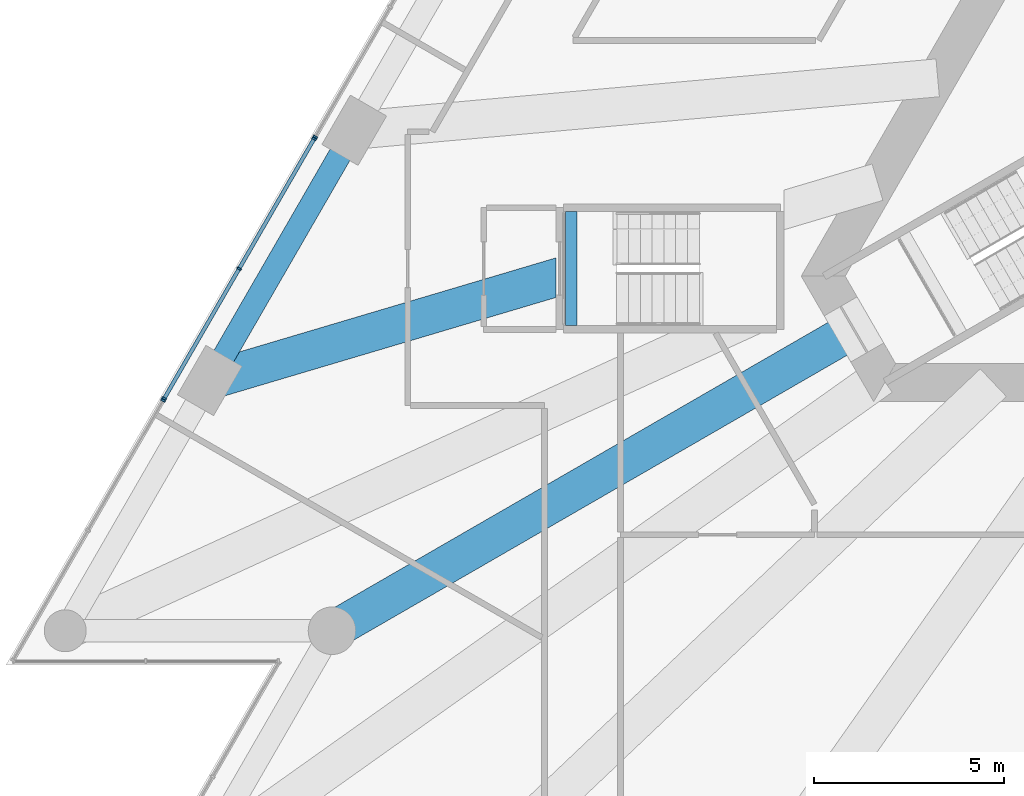
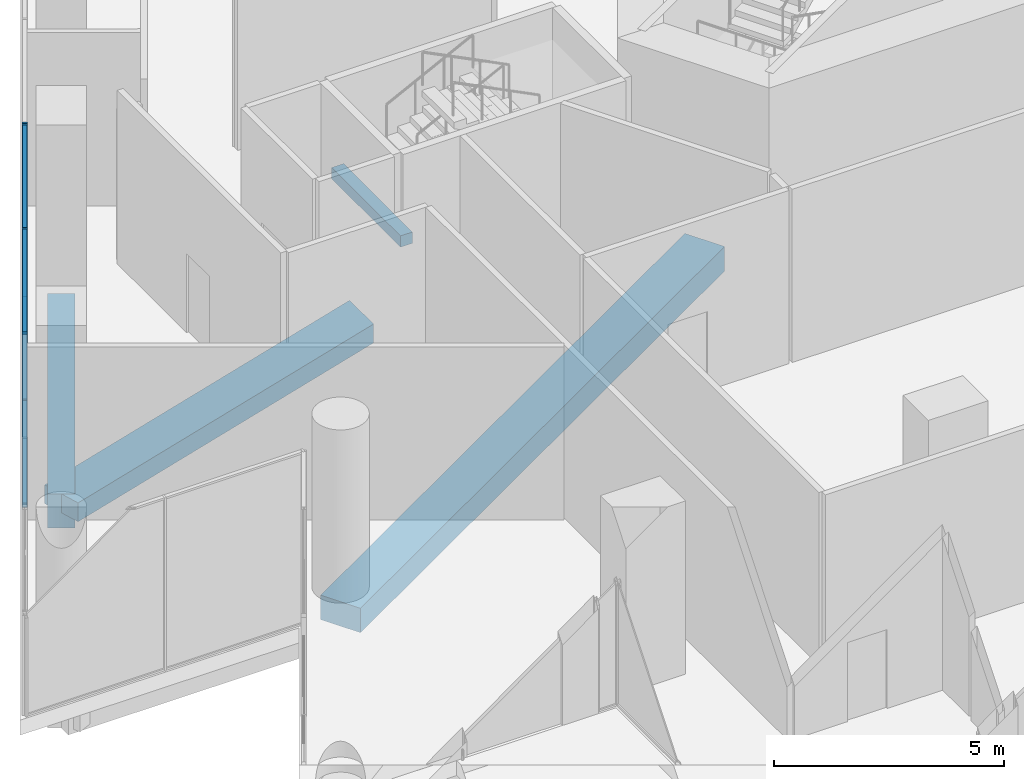
# One storey, part 5 of 32: 9 members, 4 beams, 3 elements without a shape of their own.
"""IFC4 building model written with IfcOpenShell, lengths in metres."""

from ifc_helpers import new_model, si_unit, direction, frame, origin, origin_2d, place, context, subcontext, project, spatial, rectangle, extrude, clip, halfspace, material, layer, layer_set, material_profile, profile_set, type_object, element, aggregate, save


model = new_model("IFC4")

# Units and contexts
model_context = context("Model", 3, precision=1e-05, world=origin(), true_north=direction((0.0, 1.0)))
body_context = subcontext(model_context, "Body", "Model", "MODEL_VIEW")
ifc_project = project(units=[si_unit("LENGTHUNIT", "METRE"), si_unit("AREAUNIT", "SQUARE_METRE"), si_unit("VOLUMEUNIT", "CUBIC_METRE"), si_unit("PLANEANGLEUNIT", "RADIAN"), si_unit("MASSUNIT", "GRAM", prefix="KILO")], contexts=[model_context])

# Site, building, storey
site_placement = place(None, origin())
site = spatial("IfcSite", under=ifc_project, at=site_placement, CompositionType="ELEMENT")
building_placement = place(site_placement, origin())
building = spatial("IfcBuilding", under=site, at=building_placement, Name="Triada Interchange Tower", CompositionType="ELEMENT")
storey_placement = place(building_placement, frame((0.0, 0.0, 25.300048828125)))
storey = spatial("IfcBuildingStorey", under=building, at=storey_placement, Name="L04", CompositionType="ELEMENT", Elevation=25.300048828125)

# Beam
ifc_material_1 = material(Name="Concrete C35/45", Category="concrete")
ifc_material_profile_1 = material_profile(ifc_material_1, rectangle(XDim=0.300048828125, YDim=0.300048828125, at=origin_2d()), Name="RC 300x300")
ifc_profile_set_1 = profile_set([ifc_material_profile_1], Name="Concrete C35/45")
beam_type_1 = type_object("IfcBeamType", Name="Landing support beam RC 300x300", PredefinedType="BEAM", material=ifc_profile_set_1)
beam_1_placement = place(storey_placement, frame((-20.60009765625, -4.5, 2.14990234375), z_axis=(0.0, -1.0, 0.0), x_axis=(1.0, 0.0, 0.0)))
element("IfcBeam", 1, at=beam_1_placement, inside=storey, type_object=beam_type_1, Name="Landing support beam S04-6 1", PredefinedType="BEAM", context=body_context, shape_type="SweptSolid", body=[
    extrude(rectangle(XDim=0.300048828125, YDim=0.300048828125, at=origin_2d()), origin(), (0.0, 0.0, 1.0), 3.0),
])

# Curtain wall, member
ifc_material_2 = material(Name="Aluminium framed glazing", Category="aluminium")
ifc_layer = layer(ifc_material_2, 0.199951171875)
ifc_layer_set = layer_set([ifc_layer], Name="Curtain wall Winter garden glazing")
curtain_wall_type = type_object("IfcCurtainWallType", Name="Curtain wall Winter garden glazing", PredefinedType="NOTDEFINED", material=ifc_layer_set)
curtain_wall_1_placement = place(storey_placement, origin())
curtain_wall_1 = element("IfcCurtainWall", 2, at=curtain_wall_1_placement, inside=storey, type_object=curtain_wall_type, Name="Winter garden glazing CW027 L04", PredefinedType="NOTDEFINED")
ifc_material_3 = material(Name="Aluminium", Category="aluminium")
ifc_material_profile_2 = material_profile(ifc_material_3, rectangle(XDim=0.1201171875, YDim=0.050048828125, at=origin_2d()), Name="Aluminium mullion")
ifc_profile_set_2 = profile_set([ifc_material_profile_2], Name="Aluminium")
member_type_1 = type_object("IfcMemberType", Name="Mullion Winter garden glazing 120x50", PredefinedType="MULLION", material=ifc_profile_set_2)
member_1_placement = place(storey_placement, frame((-27.32958984375, -2.536376953125, 0.0), z_axis=(0.0, 0.0, 1.0), x_axis=(0.866055473648, -0.499947913852, 0.0)))
member_1 = element("IfcMember", 3, at=member_1_placement, type_object=member_type_1, Name="CW027 mullion 3", PredefinedType="MULLION", context=body_context, shape_type="SweptSolid", body=[
    extrude(rectangle(XDim=0.1201171875, YDim=0.050048828125, at=origin_2d()), origin(), (0.0, 0.0, 1.0), 4.599853515625),
])
aggregate(curtain_wall_1, [member_1])

# Curtain wall, members
curtain_wall_2_placement = place(storey_placement, origin())
curtain_wall_2 = element("IfcCurtainWall", 4, at=curtain_wall_2_placement, inside=storey, type_object=curtain_wall_type, Name="Winter garden glazing CW028 L04", PredefinedType="NOTDEFINED")
member_2_placement = place(storey_placement, frame((-27.360595703125, -2.588623046875, 0.0), z_axis=(0.0, 0.0, 1.0), x_axis=(0.866055473648, -0.499947913852, 0.0)))
member_2 = element("IfcMember", 5, at=member_2_placement, type_object=member_type_1, Name="CW028 mullion 1", PredefinedType="MULLION", context=body_context, shape_type="SweptSolid", body=[
    extrude(rectangle(XDim=0.1201171875, YDim=0.050048828125, at=origin_2d()), origin(), (0.0, 0.0, 1.0), 4.599853515625),
])
member_3_placement = place(storey_placement, frame((-29.33154296875, -6.0029296875, 0.0), z_axis=(0.0, 0.0, 1.0), x_axis=(0.866055473648, -0.499947913852, 0.0)))
member_3 = element("IfcMember", 6, at=member_3_placement, type_object=member_type_1, Name="CW028 mullion 2", PredefinedType="MULLION", context=body_context, shape_type="SweptSolid", body=[
    extrude(rectangle(XDim=0.1201171875, YDim=0.050048828125, at=origin_2d()), origin(), (0.0, 0.0, 1.0), 4.599853515625),
])
member_4_placement = place(storey_placement, frame((-31.302490234375, -9.417236328125, 0.0), z_axis=(0.0, 0.0, 1.0), x_axis=(0.866055473648, -0.499947913852, 0.0)))
member_4 = element("IfcMember", 7, at=member_4_placement, type_object=member_type_1, Name="CW028 mullion 3", PredefinedType="MULLION", context=body_context, shape_type="SweptSolid", body=[
    extrude(rectangle(XDim=0.1201171875, YDim=0.050048828125, at=origin_2d()), origin(), (0.0, 0.0, 1.0), 4.599853515625),
])

# Curtain wall, member
curtain_wall_3_placement = place(storey_placement, origin())
curtain_wall_3 = element("IfcCurtainWall", 8, at=curtain_wall_3_placement, inside=storey, type_object=curtain_wall_type, Name="Winter garden glazing CW029 L04", PredefinedType="NOTDEFINED")
member_5_placement = place(storey_placement, frame((-31.33349609375, -9.4697265625, 0.0), z_axis=(0.0, 0.0, 1.0), x_axis=(0.86604927658, -0.499958648825, 0.0)))
member_5 = element("IfcMember", 9, at=member_5_placement, type_object=member_type_1, Name="CW029 mullion 1", PredefinedType="MULLION", context=body_context, shape_type="SweptSolid", body=[
    extrude(rectangle(XDim=0.1201171875, YDim=0.050048828125, at=origin_2d()), origin(), (0.0, 0.0, 1.0), 4.599853515625),
])
aggregate(curtain_wall_3, [member_5])

# Beams
ifc_material_4 = material(Name="Concrete C50/60", Category="concrete")
ifc_material_profile_3 = material_profile(ifc_material_4, rectangle(XDim=1.0, YDim=0.5, at=origin_2d()), Name="RC 1000x500")
ifc_profile_set_3 = profile_set([ifc_material_profile_3], Name="Concrete C50/60")
beam_type_2 = type_object("IfcBeamType", Name="Radial band beam P RC 1000x500", PredefinedType="BEAM", material=ifc_profile_set_3)
beam_2_placement = place(storey_placement, frame((-30.10498046875, -8.944091796875, -0.650146484375), z_axis=(0.958593857604, 0.284776783049, 0.0), x_axis=(-0.284776783049, 0.958593857604, 0.0)))
element("IfcBeam", 10, at=beam_2_placement, inside=storey, type_object=beam_type_2, Name="Radial band beam BP08A L04", PredefinedType="BEAM", context=body_context, shape_type="Clipping", body=[
    clip(extrude(rectangle(XDim=1.0, YDim=0.5, at=origin_2d()), origin(), (0.0, 0.0, 1.0), 10.998291015625), halfspace(frame((-1.400146484375, -24.64990234375, 9.082275390625), z_axis=(-0.284776783049, 0.0, 0.958593857604), x_axis=(0.0, 1.0, 0.0)), False)),
])
ifc_material_profile_4 = material_profile(ifc_material_4, rectangle(XDim=1.0, YDim=0.64990234375, at=origin_2d()), Name="RC 1000x650")
ifc_profile_set_4 = profile_set([ifc_material_profile_4], Name="Concrete C50/60")
beam_type_3 = type_object("IfcBeamType", Name="Radial band beam P RC 1000x650", PredefinedType="BEAM", material=ifc_profile_set_4)
beam_3_placement = place(storey_placement, frame((-26.889892578125, -15.52490234375, -0.72509765625), z_axis=(0.866020130944, 0.500009132716, 0.0), x_axis=(-0.500009132716, 0.866020130944, 0.0)))
element("IfcBeam", 11, at=beam_3_placement, inside=storey, type_object=beam_type_3, Name="Radial band beam BP10 L04", PredefinedType="BEAM", context=body_context, shape_type="SweptSolid", body=[
    extrude(rectangle(XDim=1.0, YDim=0.64990234375, at=origin_2d()), origin(), (0.0, 0.0, 1.0), 15.849365234375),
])
ifc_material_profile_5 = material_profile(ifc_material_4, rectangle(XDim=0.60009765625, YDim=0.89990234375, at=origin_2d()), Name="RC 600x900")
ifc_profile_set_5 = profile_set([ifc_material_profile_5], Name="Concrete C50/60")
beam_type_4 = type_object("IfcBeamType", Name="Spandrel beam P RC 600x900", PredefinedType="BEAM", material=ifc_profile_set_5)
beam_4_placement = place(storey_placement, frame((-26.305908203125, -2.362060546875, -0.85009765625), z_axis=(-0.499894869559, -0.866086092366, 0.0), x_axis=(0.866086092366, -0.499894869559, 0.0)))
element("IfcBeam", 12, at=beam_4_placement, inside=storey, type_object=beam_type_4, Name="Spandrel beam EP07 L04", PredefinedType="BEAM", context=body_context, shape_type="SweptSolid", body=[
    extrude(rectangle(XDim=0.60009765625, YDim=0.89990234375, at=origin_2d()), origin(), (0.0, 0.0, 1.0), 7.599853515625),
])

# Member
ifc_material_profile_6 = material_profile(ifc_material_3, rectangle(XDim=0.10009765625, YDim=0.050048828125, at=origin_2d()), Name="Aluminium transom")
ifc_profile_set_6 = profile_set([ifc_material_profile_6], Name="Aluminium")
member_type_2 = type_object("IfcMemberType", Name="Transom Winter garden glazing 100x50", PredefinedType="USERDEFINED", material=ifc_profile_set_6)
member_6_placement = place(storey_placement, frame((-27.373046875, -2.6103515625, 0.02490234375), z_axis=(-0.499950487857, -0.866053987747, 0.0), x_axis=(0.866053987747, -0.499950487857, 0.0)))
member_6 = element("IfcMember", 13, at=member_6_placement, type_object=member_type_2, Name="CW028 transom 1.1", ObjectType="TRANSOM", PredefinedType="USERDEFINED", context=body_context, shape_type="SweptSolid", body=[
    extrude(rectangle(XDim=0.10009765625, YDim=0.050048828125, at=origin_2d()), origin(), (0.0, 0.0, 1.0), 3.892578125),
])

member_7_placement = place(storey_placement, frame((-27.373046875, -2.6103515625, 4.574951171875), z_axis=(-0.499950487857, -0.866053987747, 0.0), x_axis=(0.866053987747, -0.499950487857, 0.0)))
member_7 = element("IfcMember", 14, at=member_7_placement, type_object=member_type_2, Name="CW028 transom 1.2", ObjectType="TRANSOM", PredefinedType="USERDEFINED", context=body_context, shape_type="SweptSolid", body=[
    extrude(rectangle(XDim=0.10009765625, YDim=0.050048828125, at=origin_2d()), origin(), (0.0, 0.0, 1.0), 3.892578125),
])

member_8_placement = place(storey_placement, frame((-29.343994140625, -6.024658203125, 0.02490234375), z_axis=(-0.499950487857, -0.866053987747, 0.0), x_axis=(0.866053987747, -0.499950487857, 0.0)))
member_8 = element("IfcMember", 15, at=member_8_placement, type_object=member_type_2, Name="CW028 transom 2.1", ObjectType="TRANSOM", PredefinedType="USERDEFINED", context=body_context, shape_type="SweptSolid", body=[
    extrude(rectangle(XDim=0.10009765625, YDim=0.050048828125, at=origin_2d()), origin(), (0.0, 0.0, 1.0), 3.892578125),
])

member_9_placement = place(storey_placement, frame((-29.343994140625, -6.024658203125, 4.574951171875), z_axis=(-0.499950487857, -0.866053987747, 0.0), x_axis=(0.866053987747, -0.499950487857, 0.0)))
member_9 = element("IfcMember", 16, at=member_9_placement, type_object=member_type_2, Name="CW028 transom 2.2", ObjectType="TRANSOM", PredefinedType="USERDEFINED", context=body_context, shape_type="SweptSolid", body=[
    extrude(rectangle(XDim=0.10009765625, YDim=0.050048828125, at=origin_2d()), origin(), (0.0, 0.0, 1.0), 3.892578125),
])

aggregate(curtain_wall_2, [member_2, member_3, member_4, member_6, member_7, member_8, member_9])

save(model, "model.ifc")
